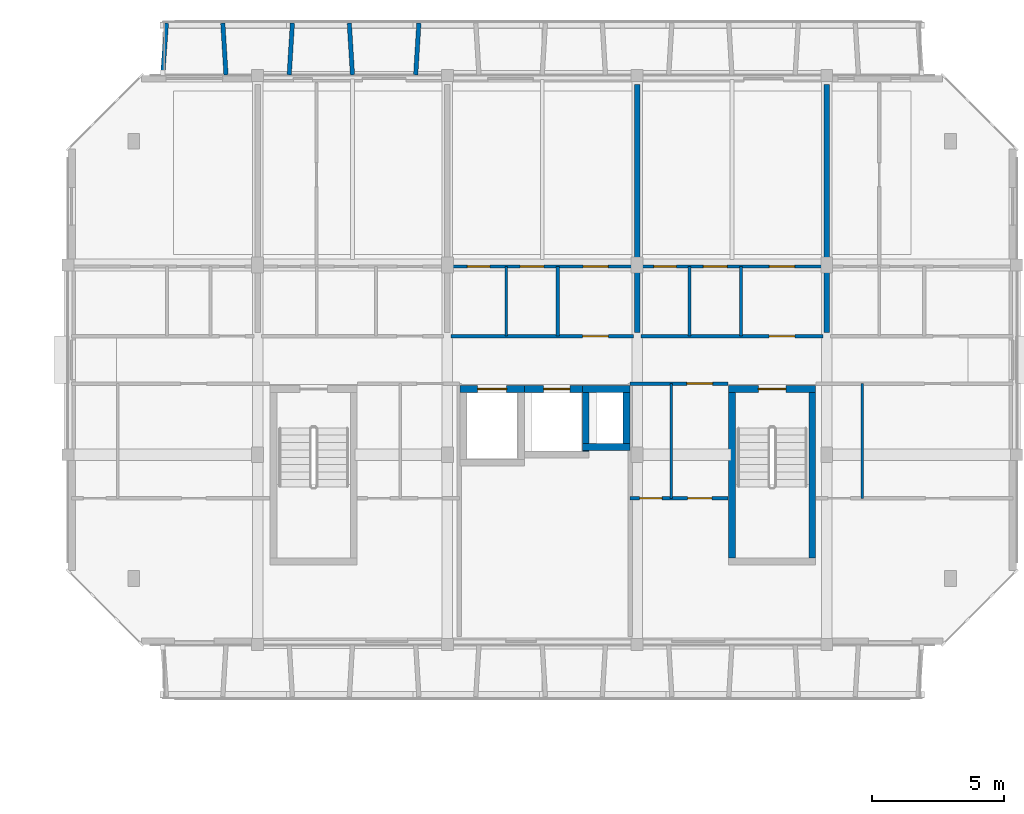
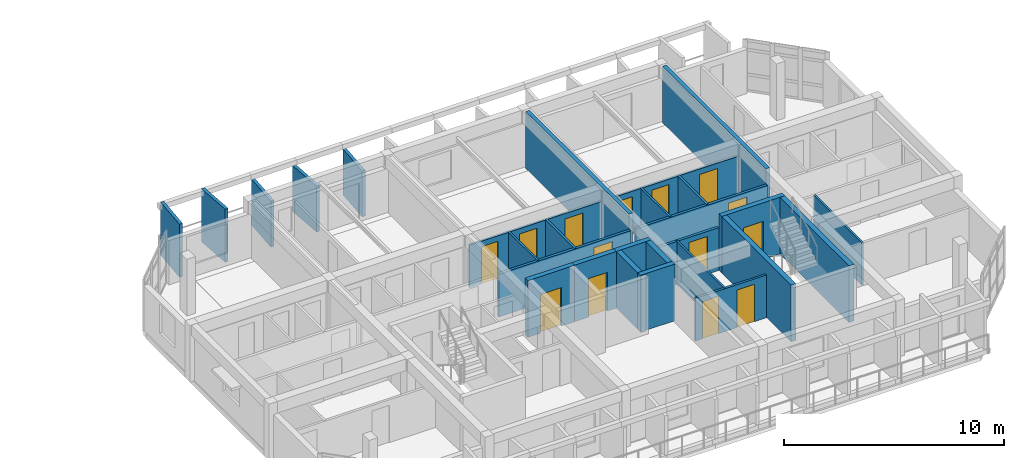
# One storey, part 21 of 31: 28 walls, 14 doors, 14 openings.
"""IFC4 building model written with IfcOpenShell, lengths in metres."""

from ifc_helpers import new_model, si_unit, direction, frame, frame_2d, origin, place, context, subcontext, project, spatial, rectangle, extrude, material, layer, layer_set, type_object, element, fill, save


model = new_model("IFC4")

# Units and contexts
model_context = context("Model", 3, precision=1e-05, world=origin(), true_north=direction((0.0, 1.0)))
body_context = subcontext(model_context, "Body", "Model", "MODEL_VIEW")
ifc_project = project(units=[si_unit("LENGTHUNIT", "METRE"), si_unit("AREAUNIT", "SQUARE_METRE"), si_unit("VOLUMEUNIT", "CUBIC_METRE"), si_unit("PLANEANGLEUNIT", "RADIAN"), si_unit("MASSUNIT", "GRAM", prefix="KILO")], contexts=[model_context])

# Site, building, storey
site_placement = place(None, origin())
site = spatial("IfcSite", under=ifc_project, at=site_placement, CompositionType="ELEMENT")
building_placement = place(site_placement, origin())
building = spatial("IfcBuilding", under=site, at=building_placement, Name="Ochrevale Crest", CompositionType="ELEMENT")
storey_placement = place(building_placement, frame((0.0, 0.0, 37.050048828125)))
storey = spatial("IfcBuildingStorey", under=building, at=storey_placement, Name="L11", CompositionType="ELEMENT", Elevation=37.050048828125)

# Wall, opening, door
ifc_material_1 = material(Name="Gypsum plasterboard", Category="gypsum")
ifc_layer_1 = layer(ifc_material_1, 0.139892578125)
ifc_layer_set_1 = layer_set([ifc_layer_1], Name="Gypsum plasterboard")
wall_type_1 = type_object("IfcWallType", Name="WL-COR-140", PredefinedType="PARTITIONING", material=ifc_layer_set_1)
wall_1_placement = place(storey_placement, frame((144.139892578125, 83.699951171875, 0.0), z_axis=(0.0, 0.0, 1.0), x_axis=(1.0, 0.0, 0.0)))
wall_1 = element("IfcWall", 1, at=wall_1_placement, inside=storey, type_object=wall_type_1, Name="Apartment D-L11-U3 corridor wall", PredefinedType="PARTITIONING", context=body_context, shape_type="SweptSolid", body=[
    extrude(rectangle(XDim=6.920166015625, YDim=0.139892578125, at=frame_2d((3.4599609375, 0.0))), origin(), (0.0, 0.0, 1.0), 2.3798828125),
])
opening_1_placement = place(wall_1_placement, frame((5.97509765625, 0.0, 0.0), z_axis=(0.0, 0.0, 1.0), x_axis=(-1.0, 0.0, 0.0)))
opening_1 = element("IfcOpeningElement", 2, at=opening_1_placement, cuts=wall_1, Name="Opening FD01", PredefinedType="OPENING", context=body_context, shape_type="SweptSolid", body=[
    extrude(rectangle(XDim=0.97998046875, YDim=2.10009765625, at=frame_2d((0.489990234375, 1.050048828125))), frame((0.0, 0.080078125, 0.0), z_axis=(0.0, -1.0, 0.0), x_axis=(1.0, 0.0, 0.0)), (0.0, 0.0, 1.0), 0.159912109375),
])
ifc_material_2 = material(Name="Solid-core FSC hardwood", Category="wood")
door_type_1 = type_object("IfcDoorType", Name="DR-APT-950", OperationType="NOTDEFINED", PredefinedType="DOOR", material=ifc_material_2)
door_1_placement = place(opening_1_placement, origin())
door_1 = element("IfcDoor", 3, at=door_1_placement, inside=storey, type_object=door_type_1, Name="Apartment D-L11-U3 entrance door", OperationType="SINGLE_SWING_RIGHT", OverallHeight=2.10009765625, OverallWidth=0.97998046875, PredefinedType="DOOR", context=body_context, shape_type="SweptSolid", body=[
    extrude(rectangle(XDim=0.97998046875, YDim=2.10009765625, at=frame_2d((0.489990234375, 1.050048828125))), frame((0.0, 0.02490234375, 0.0), z_axis=(0.0, -1.0, 0.0), x_axis=(1.0, 0.0, 0.0)), (0.0, 0.0, 1.0), 0.050048828125),
])
fill(opening_1, door_1)

wall_2_placement = place(storey_placement, frame((151.340087890625, 83.699951171875, 0.0), z_axis=(0.0, 0.0, 1.0), x_axis=(1.0, 0.0, 0.0)))
wall_2 = element("IfcWall", 4, at=wall_2_placement, inside=storey, type_object=wall_type_1, Name="Apartment D-L11-U4 corridor wall", PredefinedType="PARTITIONING", context=body_context, shape_type="SweptSolid", body=[
    extrude(rectangle(XDim=6.919921875, YDim=0.139892578125, at=frame_2d((3.4599609375, 0.0))), origin(), (0.0, 0.0, 1.0), 2.3798828125),
])
opening_2_placement = place(wall_2_placement, frame((5.85009765625, 0.0, 0.0), z_axis=(0.0, 0.0, 1.0), x_axis=(-1.0, 0.0, 0.0)))
opening_2 = element("IfcOpeningElement", 5, at=opening_2_placement, cuts=wall_2, Name="Opening FD01", PredefinedType="OPENING", context=body_context, shape_type="SweptSolid", body=[
    extrude(rectangle(XDim=0.97998046875, YDim=2.10009765625, at=frame_2d((0.489990234375, 1.050048828125))), frame((0.0, 0.080078125, 0.0), z_axis=(0.0, -1.0, 0.0), x_axis=(1.0, 0.0, 0.0)), (0.0, 0.0, 1.0), 0.159912109375),
])
door_2_placement = place(opening_2_placement, origin())
door_2 = element("IfcDoor", 6, at=door_2_placement, inside=storey, type_object=door_type_1, Name="Apartment D-L11-U4 entrance door", OperationType="SINGLE_SWING_RIGHT", OverallHeight=2.10009765625, OverallWidth=0.97998046875, PredefinedType="DOOR", context=body_context, shape_type="SweptSolid", body=[
    extrude(rectangle(XDim=0.97998046875, YDim=2.10009765625, at=frame_2d((0.489990234375, 1.050048828125))), frame((0.0, 0.02490234375, 0.0), z_axis=(0.0, -1.0, 0.0), x_axis=(1.0, 0.0, 0.0)), (0.0, 0.0, 1.0), 0.050048828125),
])
fill(opening_2, door_2)

wall_3_placement = place(storey_placement, frame((150.93994140625, 81.89990234375, 0.0), z_axis=(0.0, 0.0, 1.0), x_axis=(1.0, 0.0, 0.0)))
wall_3 = element("IfcWall", 7, at=wall_3_placement, inside=storey, type_object=wall_type_1, Name="Suite D-L11-ME corridor wall", PredefinedType="PARTITIONING", context=body_context, shape_type="SweptSolid", body=[
    extrude(rectangle(XDim=3.719970703125, YDim=0.139892578125, at=frame_2d((1.85986328125, 0.0))), origin(), (0.0, 0.0, 1.0), 2.3798828125),
])
opening_3_placement = place(wall_3_placement, frame((2.151123046875, 0.0, 0.0)))
opening_3 = element("IfcOpeningElement", 8, at=opening_3_placement, cuts=wall_3, Name="Opening FD01", PredefinedType="OPENING", context=body_context, shape_type="SweptSolid", body=[
    extrude(rectangle(XDim=0.97998046875, YDim=2.10009765625, at=frame_2d((0.489990234375, 1.050048828125))), frame((0.0, 0.080078125, 0.0), z_axis=(0.0, -1.0, 0.0), x_axis=(1.0, 0.0, 0.0)), (0.0, 0.0, 1.0), 0.159912109375),
])
door_3_placement = place(opening_3_placement, origin())
door_3 = element("IfcDoor", 9, at=door_3_placement, inside=storey, type_object=door_type_1, Name="Suite D-L11-ME entrance door", OperationType="SINGLE_SWING_LEFT", OverallHeight=2.10009765625, OverallWidth=0.97998046875, PredefinedType="DOOR", context=body_context, shape_type="SweptSolid", body=[
    extrude(rectangle(XDim=0.97998046875, YDim=2.10009765625, at=frame_2d((0.489990234375, 1.050048828125))), frame((0.0, 0.02490234375, 0.0), z_axis=(0.0, -1.0, 0.0), x_axis=(1.0, 0.0, 0.0)), (0.0, 0.0, 1.0), 0.050048828125),
])
fill(opening_3, door_3)

ifc_material_3 = material(Name="Precast concrete C50/60", Category="concrete")
ifc_layer_2 = layer(ifc_material_3, 0.2548828125)
ifc_layer_set_2 = layer_set([ifc_layer_2], Name="Precast concrete C50/60")
wall_type_2 = type_object("IfcWallType", Name="WL-CORE-255", PredefinedType="SHEAR", material=ifc_layer_set_2)
wall_4_placement = place(storey_placement, frame((154.672607421875, 81.699951171875, 0.0), z_axis=(0.0, 0.0, 1.0), x_axis=(1.0, 0.0, 0.0)))
wall_4 = element("IfcWall", 10, at=wall_4_placement, inside=storey, type_object=wall_type_2, Name="Block D L11 Stair 2 precast core shear wall N", PredefinedType="SHEAR", context=body_context, shape_type="SweptSolid", body=[
    extrude(rectangle(XDim=3.304931640625, YDim=0.2548828125, at=frame_2d((1.65234375, 0.0))), origin(), (0.0, 0.0, 1.0), 3.14990234375),
])
opening_4_placement = place(wall_4_placement, frame((1.12744140625, 0.0, 0.0)))
opening_4 = element("IfcOpeningElement", 11, at=opening_4_placement, cuts=wall_4, Name="Opening FD03", PredefinedType="OPENING", context=body_context, shape_type="SweptSolid", body=[
    extrude(rectangle(XDim=1.050048828125, YDim=2.1201171875, at=frame_2d((0.52490234375, 1.06005859375))), frame((0.0, 0.137451171875, 0.0), z_axis=(0.0, -1.0, 0.0), x_axis=(1.0, 0.0, 0.0)), (0.0, 0.0, 1.0), 0.27490234375),
])
door_type_2 = type_object("IfcDoorType", Name="DR-ST-1050", OperationType="NOTDEFINED", PredefinedType="DOOR", material=ifc_material_2)
door_4_placement = place(opening_4_placement, origin())
door_4 = element("IfcDoor", 12, at=door_4_placement, inside=storey, type_object=door_type_2, Name="Block D L11 fire stair 2 door", OperationType="SINGLE_SWING_LEFT", OverallHeight=2.1201171875, OverallWidth=1.050048828125, PredefinedType="DOOR", context=body_context, shape_type="SweptSolid", body=[
    extrude(rectangle(XDim=1.050048828125, YDim=2.1201171875, at=frame_2d((0.52490234375, 1.06005859375))), frame((0.0, 0.02490234375, 0.0), z_axis=(0.0, -1.0, 0.0), x_axis=(1.0, 0.0, 0.0)), (0.0, 0.0, 1.0), 0.050048828125),
])
fill(opening_4, door_4)

# Walls
for number, where, z_axis, x_axis, name in (
    (13, (154.800048828125, 75.277587890625, 0.0), (0.0, 0.0, 1.0), (0.0, 1.0, 0.0), "Block D L11 Stair 2 precast core shear wall W"),
    (14, (157.85009765625, 75.277587890625, 0.0), (0.0, 0.0, 1.0), (0.0, 1.0, 0.0), "Block D L11 Stair 2 precast core shear wall E"),
):
    element("IfcWall", number, at=place(storey_placement, frame(where, z_axis=z_axis, x_axis=x_axis)), inside=storey, type_object=wall_type_2, Name=name, PredefinedType="SHEAR", context=body_context, shape_type="SweptSolid", body=[
        extrude(rectangle(XDim=6.294921875, YDim=0.2548828125, at=frame_2d((3.1474609375, 0.0))), origin(), (0.0, 0.0, 1.0), 3.14990234375),
    ])

# Wall, opening, door
wall_5_placement = place(storey_placement, frame((144.472412109375, 81.699951171875, 0.0), z_axis=(0.0, 0.0, 1.0), x_axis=(1.0, 0.0, 0.0)))
wall_5 = element("IfcWall", 15, at=wall_5_placement, inside=storey, type_object=wall_type_2, Name="Block D L11 Lift 1 precast shaft shear wall N", PredefinedType="SHEAR", context=body_context, shape_type="SweptSolid", body=[
    extrude(rectangle(XDim=2.455078125, YDim=0.2548828125, at=frame_2d((1.2275390625, 0.0))), origin(), (0.0, 0.0, 1.0), 3.14990234375),
])
opening_5_placement = place(wall_5_placement, frame((0.677490234375, 0.0, 0.0)))
opening_5 = element("IfcOpeningElement", 16, at=opening_5_placement, cuts=wall_5, Name="Opening LD01", PredefinedType="OPENING", context=body_context, shape_type="SweptSolid", body=[
    extrude(rectangle(XDim=1.10009765625, YDim=2.14990234375, at=frame_2d((0.550048828125, 1.074951171875))), frame((0.0, 0.137451171875, 0.0), z_axis=(0.0, -1.0, 0.0), x_axis=(1.0, 0.0, 0.0)), (0.0, 0.0, 1.0), 0.27490234375),
])
door_type_3 = type_object("IfcDoorType", Name="DR-LIFT-1100", OperationType="NOTDEFINED", PredefinedType="DOOR", material=ifc_material_2)
door_5_placement = place(opening_5_placement, origin())
door_5 = element("IfcDoor", 17, at=door_5_placement, inside=storey, type_object=door_type_3, Name="Lift LF-D1 L11 sliding landing door", OperationType="SLIDING_TO_LEFT", OverallHeight=2.14990234375, OverallWidth=1.10009765625, PredefinedType="DOOR", context=body_context, shape_type="SweptSolid", body=[
    extrude(rectangle(XDim=1.10009765625, YDim=2.14990234375, at=frame_2d((0.550048828125, 1.074951171875))), frame((0.0, 0.02490234375, 0.0), z_axis=(0.0, -1.0, 0.0), x_axis=(1.0, 0.0, 0.0)), (0.0, 0.0, 1.0), 0.050048828125),
])
fill(opening_5, door_5)

wall_6_placement = place(storey_placement, frame((146.922607421875, 81.699951171875, 0.0), z_axis=(0.0, 0.0, 1.0), x_axis=(1.0, 0.0, 0.0)))
wall_6 = element("IfcWall", 18, at=wall_6_placement, inside=storey, type_object=wall_type_2, Name="Block D L11 Lift 2 precast shaft shear wall N", PredefinedType="SHEAR", context=body_context, shape_type="SweptSolid", body=[
    extrude(rectangle(XDim=2.454833984375, YDim=0.2548828125, at=frame_2d((1.2275390625, 0.0))), origin(), (0.0, 0.0, 1.0), 3.14990234375),
])
opening_6_placement = place(wall_6_placement, frame((0.7275390625, 0.0, 0.0)))
opening_6 = element("IfcOpeningElement", 19, at=opening_6_placement, cuts=wall_6, Name="Opening LD02", PredefinedType="OPENING", context=body_context, shape_type="SweptSolid", body=[
    extrude(rectangle(XDim=1.0, YDim=2.14990234375, at=frame_2d((0.5, 1.074951171875))), frame((0.0, 0.137451171875, 0.0), z_axis=(0.0, -1.0, 0.0), x_axis=(1.0, 0.0, 0.0)), (0.0, 0.0, 1.0), 0.27490234375),
])
door_type_4 = type_object("IfcDoorType", Name="DR-LIFT-1000", OperationType="NOTDEFINED", PredefinedType="DOOR", material=ifc_material_2)
door_6_placement = place(opening_6_placement, origin())
door_6 = element("IfcDoor", 20, at=door_6_placement, inside=storey, type_object=door_type_4, Name="Lift LP-D2 L11 sliding landing door", OperationType="SLIDING_TO_RIGHT", OverallHeight=2.14990234375, OverallWidth=1.0, PredefinedType="DOOR", context=body_context, shape_type="SweptSolid", body=[
    extrude(rectangle(XDim=1.0, YDim=2.14990234375, at=frame_2d((0.5, 1.074951171875))), frame((0.0, 0.02490234375, 0.0), z_axis=(0.0, -1.0, 0.0), x_axis=(1.0, 0.0, 0.0)), (0.0, 0.0, 1.0), 0.050048828125),
])
fill(opening_6, door_6)

# Walls
wall_7_placement = place(storey_placement, frame((149.25, 79.327392578125, 0.0), z_axis=(0.0, 0.0, 1.0), x_axis=(0.0, 1.0, 0.0)))
element("IfcWall", 21, at=wall_7_placement, inside=storey, type_object=wall_type_2, Name="Block D L11 Lift 2 precast shaft shear wall E", PredefinedType="SHEAR", context=body_context, shape_type="SweptSolid", body=[
    extrude(rectangle(XDim=2.2451171875, YDim=0.2548828125, at=frame_2d((1.12255859375, 0.0))), origin(), (0.0, 0.0, 1.0), 3.14990234375),
])
for number, where, z_axis, x_axis, name in (
    (22, (149.12255859375, 79.5, 0.0), (0.0, 0.0, 1.0), (1.0, 0.0, 0.0), "Block D L11 services riser shaft core wall S"),
    (23, (149.12255859375, 81.699951171875, 0.0), (0.0, 0.0, 1.0), (1.0, 0.0, 0.0), "Block D L11 services riser shaft core wall N"),
):
    element("IfcWall", number, at=place(storey_placement, frame(where, z_axis=z_axis, x_axis=x_axis)), inside=storey, type_object=wall_type_2, Name=name, PredefinedType="SHEAR", context=body_context, shape_type="SweptSolid", body=[
        extrude(rectangle(XDim=1.804931640625, YDim=0.2548828125, at=frame_2d((0.90234375, 0.0))), origin(), (0.0, 0.0, 1.0), 3.14990234375),
    ])
wall_8_placement = place(storey_placement, frame((150.800048828125, 79.62744140625, 0.0), z_axis=(0.0, 0.0, 1.0), x_axis=(0.0, 1.0, 0.0)))
element("IfcWall", 24, at=wall_8_placement, inside=storey, type_object=wall_type_2, Name="Block D L11 services riser shaft core wall E", PredefinedType="SHEAR", context=body_context, shape_type="SweptSolid", body=[
    extrude(rectangle(XDim=1.945068359375, YDim=0.2548828125, at=frame_2d((0.97265625, 0.0))), origin(), (0.0, 0.0, 1.0), 3.14990234375),
])
ifc_material_4 = material(Name="Precast concrete C40/50", Category="concrete")
ifc_layer_3 = layer(ifc_material_4, 0.1650390625)
ifc_layer_set_3 = layer_set([ifc_layer_3], Name="Precast concrete C40/50")
wall_type_3 = type_object("IfcWallType", Name="WL-HC-CHEEK-165", PredefinedType="ELEMENTEDWALL", material=ifc_layer_set_3)
wall_9_placement = place(storey_placement, frame((133.199951171875, 93.6201171875, 0.0), z_axis=(0.0, 0.0, 1.0), x_axis=(0.071317687608, 0.997453651772, 0.0)))
element("IfcWall", 25, at=wall_9_placement, inside=storey, type_object=wall_type_3, Name="Block D L11 N precast honeycomb cheek 1", PredefinedType="ELEMENTEDWALL", context=body_context, shape_type="SweptSolid", body=[
    extrude(rectangle(XDim=1.96484375, YDim=0.1650390625, at=frame_2d((0.982421875, 0.0))), origin(), (0.0, 0.0, 1.0), 2.949951171875),
])
wall_10_placement = place(storey_placement, frame((135.60009765625, 93.6201171875, 0.0), z_axis=(0.0, 0.0, 1.0), x_axis=(-0.061170732449, 0.998127317276, 0.0)))
element("IfcWall", 26, at=wall_10_placement, inside=storey, type_object=wall_type_3, Name="Block D L11 N precast honeycomb cheek 2", PredefinedType="ELEMENTEDWALL", context=body_context, shape_type="SweptSolid", body=[
    extrude(rectangle(XDim=1.963623046875, YDim=0.1650390625, at=frame_2d((0.98193359375, 0.0))), origin(), (0.0, 0.0, 1.0), 2.949951171875),
])
for number, where, z_axis, x_axis, name in (
    (27, (138.0, 93.6201171875, 0.0), (0.0, 0.0, 1.0), (0.061170732449, 0.998127317276, 0.0), "Block D L11 N precast honeycomb cheek 3"),
    (28, (140.39990234375, 93.6201171875, 0.0), (0.0, 0.0, 1.0), (-0.061046865508, 0.998134900808, 0.0), "Block D L11 N precast honeycomb cheek 4"),
    (29, (142.800048828125, 93.6201171875, 0.0), (0.0, 0.0, 1.0), (0.061046865508, 0.998134900808, 0.0), "Block D L11 N precast honeycomb cheek 5"),
):
    element("IfcWall", number, at=place(storey_placement, frame(where, z_axis=z_axis, x_axis=x_axis)), inside=storey, type_object=wall_type_3, Name=name, PredefinedType="ELEMENTEDWALL", context=body_context, shape_type="SweptSolid", body=[
        extrude(rectangle(XDim=1.963623046875, YDim=0.1650390625, at=frame_2d((0.98193359375, 0.0))), origin(), (0.0, 0.0, 1.0), 2.550048828125),
    ])
ifc_layer_4 = layer(ifc_material_1, 0.1201171875)
ifc_layer_set_4 = layer_set([ifc_layer_4], Name="Gypsum plasterboard")
wall_type_4 = type_object("IfcWallType", Name="WL-PART-120", PredefinedType="PARTITIONING", material=ifc_layer_set_4)
wall_11_placement = place(storey_placement, frame((148.18994140625, 83.699951171875, 0.0), z_axis=(0.0, 0.0, 1.0), x_axis=(0.0, 1.0, 0.0)))
element("IfcWall", 30, at=wall_11_placement, inside=storey, type_object=wall_type_4, Name="Apartment D-L11-U3 kitchen-foyer wall", PredefinedType="PARTITIONING", context=body_context, shape_type="SweptSolid", body=[
    extrude(rectangle(XDim=2.650146484375, YDim=0.1201171875, at=frame_2d((1.3251953125, 0.0))), origin(), (0.0, 0.0, 1.0), 2.3798828125),
])

# Wall, openings, doors
wall_12_placement = place(storey_placement, frame((144.139892578125, 86.35009765625, 0.0), z_axis=(0.0, 0.0, 1.0), x_axis=(1.0, 0.0, 0.0)))
wall_12 = element("IfcWall", 31, at=wall_12_placement, inside=storey, type_object=wall_type_4, Name="Apartment D-L11-U3 central partition", PredefinedType="PARTITIONING", context=body_context, shape_type="SweptSolid", body=[
    extrude(rectangle(XDim=6.920166015625, YDim=0.1201171875, at=frame_2d((3.4599609375, 0.0))), origin(), (0.0, 0.0, 1.0), 2.3798828125),
])
opening_7_placement = place(wall_12_placement, frame((0.625, 0.0, 0.0)))
opening_7 = element("IfcOpeningElement", 32, at=opening_7_placement, cuts=wall_12, Name="Opening ID01", PredefinedType="OPENING", context=body_context, shape_type="SweptSolid", body=[
    extrude(rectangle(XDim=0.85009765625, YDim=2.080078125, at=frame_2d((0.425048828125, 1.0400390625))), frame((0.0, 0.070068359375, 0.0), z_axis=(0.0, -1.0, 0.0), x_axis=(1.0, 0.0, 0.0)), (0.0, 0.0, 1.0), 0.14013671875),
])
opening_8_placement = place(wall_12_placement, frame((3.52490234375, 0.0, 0.0), z_axis=(0.0, 0.0, 1.0), x_axis=(-1.0, 0.0, 0.0)))
opening_8 = element("IfcOpeningElement", 33, at=opening_8_placement, cuts=wall_12, Name="Opening ID02", PredefinedType="OPENING", context=body_context, shape_type="SweptSolid", body=[
    extrude(rectangle(XDim=0.89990234375, YDim=2.080078125, at=frame_2d((0.449951171875, 1.0400390625))), frame((0.0, 0.070068359375, 0.0), z_axis=(0.0, -1.0, 0.0), x_axis=(1.0, 0.0, 0.0)), (0.0, 0.0, 1.0), 0.14013671875),
])
opening_9_placement = place(wall_12_placement, frame((5.010009765625, 0.0, 0.0)))
opening_9 = element("IfcOpeningElement", 34, at=opening_9_placement, cuts=wall_12, Name="Opening ID06", PredefinedType="OPENING", context=body_context, shape_type="SweptSolid", body=[
    extrude(rectangle(XDim=0.949951171875, YDim=2.080078125, at=frame_2d((0.47509765625, 1.0400390625))), frame((0.0, 0.070068359375, 0.0), z_axis=(0.0, -1.0, 0.0), x_axis=(1.0, 0.0, 0.0)), (0.0, 0.0, 1.0), 0.14013671875),
])
door_type_5 = type_object("IfcDoorType", Name="DR-INT-900", OperationType="NOTDEFINED", PredefinedType="DOOR", material=ifc_material_2)
door_7_placement = place(opening_8_placement, origin())
door_7 = element("IfcDoor", 35, at=door_7_placement, inside=storey, type_object=door_type_5, Name="Apartment D-L11-U3 Kitchen door", OperationType="SINGLE_SWING_RIGHT", OverallHeight=2.080078125, OverallWidth=0.89990234375, PredefinedType="DOOR", context=body_context, shape_type="SweptSolid", body=[
    extrude(rectangle(XDim=0.89990234375, YDim=2.080078125, at=frame_2d((0.449951171875, 1.0400390625))), frame((0.0, 0.02490234375, 0.0), z_axis=(0.0, -1.0, 0.0), x_axis=(1.0, 0.0, 0.0)), (0.0, 0.0, 1.0), 0.050048828125),
])
fill(opening_8, door_7)
door_type_6 = type_object("IfcDoorType", Name="DR-INT-950", OperationType="NOTDEFINED", PredefinedType="DOOR", material=ifc_material_2)
door_8_placement = place(opening_9_placement, origin())
door_8 = element("IfcDoor", 36, at=door_8_placement, inside=storey, type_object=door_type_6, Name="Apartment D-L11-U3 Living Foyer door", OperationType="SINGLE_SWING_LEFT", OverallHeight=2.080078125, OverallWidth=0.949951171875, PredefinedType="DOOR", context=body_context, shape_type="SweptSolid", body=[
    extrude(rectangle(XDim=0.949951171875, YDim=2.080078125, at=frame_2d((0.47509765625, 1.0400390625))), frame((0.0, 0.02490234375, 0.0), z_axis=(0.0, -1.0, 0.0), x_axis=(1.0, 0.0, 0.0)), (0.0, 0.0, 1.0), 0.050048828125),
])
fill(opening_9, door_8)
door_type_7 = type_object("IfcDoorType", Name="DR-WC-850", OperationType="NOTDEFINED", PredefinedType="DOOR", material=ifc_material_2)
door_9_placement = place(opening_7_placement, origin())
door_9 = element("IfcDoor", 37, at=door_9_placement, inside=storey, type_object=door_type_7, Name="Apartment D-L11-U3 Bathroom door", OperationType="SINGLE_SWING_LEFT", OverallHeight=2.080078125, OverallWidth=0.85009765625, PredefinedType="DOOR", context=body_context, shape_type="SweptSolid", body=[
    extrude(rectangle(XDim=0.85009765625, YDim=2.080078125, at=frame_2d((0.425048828125, 1.0400390625))), frame((0.0, 0.02490234375, 0.0), z_axis=(0.0, -1.0, 0.0), x_axis=(1.0, 0.0, 0.0)), (0.0, 0.0, 1.0), 0.050048828125),
])
fill(opening_7, door_9)

# Wall
wall_13_placement = place(storey_placement, frame((155.139892578125, 83.699951171875, 0.0), z_axis=(0.0, 0.0, 1.0), x_axis=(0.0, 1.0, 0.0)))
element("IfcWall", 38, at=wall_13_placement, inside=storey, type_object=wall_type_4, Name="Apartment D-L11-U4 kitchen-foyer wall", PredefinedType="PARTITIONING", context=body_context, shape_type="SweptSolid", body=[
    extrude(rectangle(XDim=2.650146484375, YDim=0.1201171875, at=frame_2d((1.3251953125, 0.0))), origin(), (0.0, 0.0, 1.0), 2.3798828125),
])

# Wall, openings, doors
wall_14_placement = place(storey_placement, frame((151.340087890625, 86.35009765625, 0.0), z_axis=(0.0, 0.0, 1.0), x_axis=(1.0, 0.0, 0.0)))
wall_14 = element("IfcWall", 39, at=wall_14_placement, inside=storey, type_object=wall_type_4, Name="Apartment D-L11-U4 central partition", PredefinedType="PARTITIONING", context=body_context, shape_type="SweptSolid", body=[
    extrude(rectangle(XDim=6.919921875, YDim=0.1201171875, at=frame_2d((3.4599609375, 0.0))), origin(), (0.0, 0.0, 1.0), 2.3798828125),
])
opening_10_placement = place(wall_14_placement, frame((0.5, 0.0, 0.0)))
opening_10 = element("IfcOpeningElement", 40, at=opening_10_placement, cuts=wall_14, Name="Opening ID01", PredefinedType="OPENING", context=body_context, shape_type="SweptSolid", body=[
    extrude(rectangle(XDim=0.85009765625, YDim=2.080078125, at=frame_2d((0.425048828125, 1.0400390625))), frame((0.0, 0.070068359375, 0.0), z_axis=(0.0, -1.0, 0.0), x_axis=(1.0, 0.0, 0.0)), (0.0, 0.0, 1.0), 0.14013671875),
])
opening_11_placement = place(wall_14_placement, frame((3.27490234375, 0.0, 0.0), z_axis=(0.0, 0.0, 1.0), x_axis=(-1.0, 0.0, 0.0)))
opening_11 = element("IfcOpeningElement", 41, at=opening_11_placement, cuts=wall_14, Name="Opening ID02", PredefinedType="OPENING", context=body_context, shape_type="SweptSolid", body=[
    extrude(rectangle(XDim=0.89990234375, YDim=2.080078125, at=frame_2d((0.449951171875, 1.0400390625))), frame((0.0, 0.070068359375, 0.0), z_axis=(0.0, -1.0, 0.0), x_axis=(1.0, 0.0, 0.0)), (0.0, 0.0, 1.0), 0.14013671875),
])
opening_12_placement = place(wall_14_placement, frame((4.885009765625, 0.0, 0.0)))
opening_12 = element("IfcOpeningElement", 42, at=opening_12_placement, cuts=wall_14, Name="Opening ID06", PredefinedType="OPENING", context=body_context, shape_type="SweptSolid", body=[
    extrude(rectangle(XDim=0.949951171875, YDim=2.080078125, at=frame_2d((0.47509765625, 1.0400390625))), frame((0.0, 0.070068359375, 0.0), z_axis=(0.0, -1.0, 0.0), x_axis=(1.0, 0.0, 0.0)), (0.0, 0.0, 1.0), 0.14013671875),
])
door_10_placement = place(opening_11_placement, origin())
door_10 = element("IfcDoor", 43, at=door_10_placement, inside=storey, type_object=door_type_5, Name="Apartment D-L11-U4 Kitchen door", OperationType="SINGLE_SWING_RIGHT", OverallHeight=2.080078125, OverallWidth=0.89990234375, PredefinedType="DOOR", context=body_context, shape_type="SweptSolid", body=[
    extrude(rectangle(XDim=0.89990234375, YDim=2.080078125, at=frame_2d((0.449951171875, 1.0400390625))), frame((0.0, 0.02490234375, 0.0), z_axis=(0.0, -1.0, 0.0), x_axis=(1.0, 0.0, 0.0)), (0.0, 0.0, 1.0), 0.050048828125),
])
fill(opening_11, door_10)
door_11_placement = place(opening_12_placement, origin())
door_11 = element("IfcDoor", 44, at=door_11_placement, inside=storey, type_object=door_type_6, Name="Apartment D-L11-U4 Living Foyer door", OperationType="SINGLE_SWING_LEFT", OverallHeight=2.080078125, OverallWidth=0.949951171875, PredefinedType="DOOR", context=body_context, shape_type="SweptSolid", body=[
    extrude(rectangle(XDim=0.949951171875, YDim=2.080078125, at=frame_2d((0.47509765625, 1.0400390625))), frame((0.0, 0.02490234375, 0.0), z_axis=(0.0, -1.0, 0.0), x_axis=(1.0, 0.0, 0.0)), (0.0, 0.0, 1.0), 0.050048828125),
])
fill(opening_12, door_11)
door_12_placement = place(opening_10_placement, origin())
door_12 = element("IfcDoor", 45, at=door_12_placement, inside=storey, type_object=door_type_7, Name="Apartment D-L11-U4 Bathroom door", OperationType="SINGLE_SWING_LEFT", OverallHeight=2.080078125, OverallWidth=0.85009765625, PredefinedType="DOOR", context=body_context, shape_type="SweptSolid", body=[
    extrude(rectangle(XDim=0.85009765625, YDim=2.080078125, at=frame_2d((0.425048828125, 1.0400390625))), frame((0.0, 0.02490234375, 0.0), z_axis=(0.0, -1.0, 0.0), x_axis=(1.0, 0.0, 0.0)), (0.0, 0.0, 1.0), 0.050048828125),
])
fill(opening_10, door_12)

wall_15_placement = place(storey_placement, frame((150.93994140625, 77.550048828125, 0.0), z_axis=(0.0, 0.0, 1.0), x_axis=(1.0, 0.0, 0.0)))
wall_15 = element("IfcWall", 46, at=wall_15_placement, inside=storey, type_object=wall_type_4, Name="Suite D-L11-ME internal wall", PredefinedType="PARTITIONING", context=body_context, shape_type="SweptSolid", body=[
    extrude(rectangle(XDim=3.719970703125, YDim=0.1201171875, at=frame_2d((1.85986328125, 0.0))), origin(), (0.0, 0.0, 1.0), 2.3798828125),
])
opening_13_placement = place(wall_15_placement, frame((1.206298828125, 0.0, 0.0), z_axis=(0.0, 0.0, 1.0), x_axis=(-1.0, 0.0, 0.0)))
opening_13 = element("IfcOpeningElement", 47, at=opening_13_placement, cuts=wall_15, Name="Opening ID01", PredefinedType="OPENING", context=body_context, shape_type="SweptSolid", body=[
    extrude(rectangle(XDim=0.85009765625, YDim=2.080078125, at=frame_2d((0.425048828125, 1.0400390625))), frame((0.0, 0.070068359375, 0.0), z_axis=(0.0, -1.0, 0.0), x_axis=(1.0, 0.0, 0.0)), (0.0, 0.0, 1.0), 0.14013671875),
])
opening_14_placement = place(wall_15_placement, frame((2.18115234375, 0.0, 0.0)))
opening_14 = element("IfcOpeningElement", 48, at=opening_14_placement, cuts=wall_15, Name="Opening ID04", PredefinedType="OPENING", context=body_context, shape_type="SweptSolid", body=[
    extrude(rectangle(XDim=0.919921875, YDim=2.080078125, at=frame_2d((0.4599609375, 1.0400390625))), frame((0.0, 0.070068359375, 0.0), z_axis=(0.0, -1.0, 0.0), x_axis=(1.0, 0.0, 0.0)), (0.0, 0.0, 1.0), 0.14013671875),
])
door_type_8 = type_object("IfcDoorType", Name="DR-INT-920", OperationType="NOTDEFINED", PredefinedType="DOOR", material=ifc_material_2)
door_13_placement = place(opening_14_placement, origin())
door_13 = element("IfcDoor", 49, at=door_13_placement, inside=storey, type_object=door_type_8, Name="Suite D-L11-ME Garden Alcove Studio door", OperationType="SINGLE_SWING_LEFT", OverallHeight=2.080078125, OverallWidth=0.919921875, PredefinedType="DOOR", context=body_context, shape_type="SweptSolid", body=[
    extrude(rectangle(XDim=0.919921875, YDim=2.080078125, at=frame_2d((0.4599609375, 1.0400390625))), frame((0.0, 0.02490234375, 0.0), z_axis=(0.0, -1.0, 0.0), x_axis=(1.0, 0.0, 0.0)), (0.0, 0.0, 1.0), 0.050048828125),
])
fill(opening_14, door_13)
door_14_placement = place(opening_13_placement, origin())
door_14 = element("IfcDoor", 50, at=door_14_placement, inside=storey, type_object=door_type_7, Name="Suite D-L11-ME Bathroom door", OperationType="SINGLE_SWING_RIGHT", OverallHeight=2.080078125, OverallWidth=0.85009765625, PredefinedType="DOOR", context=body_context, shape_type="SweptSolid", body=[
    extrude(rectangle(XDim=0.85009765625, YDim=2.080078125, at=frame_2d((0.425048828125, 1.0400390625))), frame((0.0, 0.02490234375, 0.0), z_axis=(0.0, -1.0, 0.0), x_axis=(1.0, 0.0, 0.0)), (0.0, 0.0, 1.0), 0.050048828125),
])
fill(opening_13, door_14)

# Walls
ifc_layer_5 = layer(ifc_material_4, 0.2099609375)
ifc_layer_set_5 = layer_set([ifc_layer_5], Name="Precast concrete C40/50")
wall_type_5 = type_object("IfcWallType", Name="WL-SHEAR-210", PredefinedType="SHEAR", material=ifc_layer_set_5)
for number, where, z_axis, x_axis, name in (
    (51, (151.199951171875, 83.85009765625, 0.0), (0.0, 0.0, 1.0), (0.0, 1.0, 0.0), "Block D L11 load-bearing precast cross-wall X=151.2"),
    (52, (158.39990234375, 83.85009765625, 0.0), (0.0, 0.0, 1.0), (0.0, 1.0, 0.0), "Block D L11 load-bearing precast cross-wall X=158.4"),
):
    element("IfcWall", number, at=place(storey_placement, frame(where, z_axis=z_axis, x_axis=x_axis)), inside=storey, type_object=wall_type_5, Name=name, PredefinedType="SHEAR", context=body_context, shape_type="SweptSolid", body=[
        extrude(rectangle(XDim=9.39990234375, YDim=0.2099609375, at=frame_2d((4.699951171875, 0.0))), origin(), (0.0, 0.0, 1.0), 3.14990234375),
    ])
ifc_layer_6 = layer(ifc_material_1, 0.10009765625)
ifc_layer_set_6 = layer_set([ifc_layer_6], Name="Gypsum plasterboard")
wall_type_6 = type_object("IfcWallType", Name="WL-WET-100", PredefinedType="PARTITIONING", material=ifc_layer_set_6)
for number, where, z_axis, x_axis, name in (
    (53, (146.239990234375, 83.699951171875, 0.0), (0.0, 0.0, 1.0), (0.0, 1.0, 0.0), "Apartment D-L11-U3 bath-kitchen wall"),
    (54, (153.18994140625, 83.699951171875, 0.0), (0.0, 0.0, 1.0), (0.0, 1.0, 0.0), "Apartment D-L11-U4 bath-kitchen wall"),
):
    element("IfcWall", number, at=place(storey_placement, frame(where, z_axis=z_axis, x_axis=x_axis)), inside=storey, type_object=wall_type_6, Name=name, PredefinedType="PARTITIONING", context=body_context, shape_type="SweptSolid", body=[
        extrude(rectangle(XDim=2.650146484375, YDim=0.10009765625, at=frame_2d((1.3251953125, 0.0))), origin(), (0.0, 0.0, 1.0), 2.3798828125),
    ])
for number, where, z_axis, x_axis, name in (
    (55, (152.50244140625, 77.550048828125, 0.0), (0.0, 0.0, 1.0), (0.0, 1.0, 0.0), "Suite D-L11-ME bathroom divider"),
    (56, (159.739990234375, 77.550048828125, 0.0), (0.0, 0.0, 1.0), (0.0, 1.0, 0.0), "Suite D-L11-CE bathroom divider"),
):
    element("IfcWall", number, at=place(storey_placement, frame(where, z_axis=z_axis, x_axis=x_axis)), inside=storey, type_object=wall_type_6, Name=name, PredefinedType="PARTITIONING", context=body_context, shape_type="SweptSolid", body=[
        extrude(rectangle(XDim=4.349853515625, YDim=0.10009765625, at=frame_2d((2.1748046875, 0.0))), origin(), (0.0, 0.0, 1.0), 2.3798828125),
    ])

save(model, "model.ifc")
